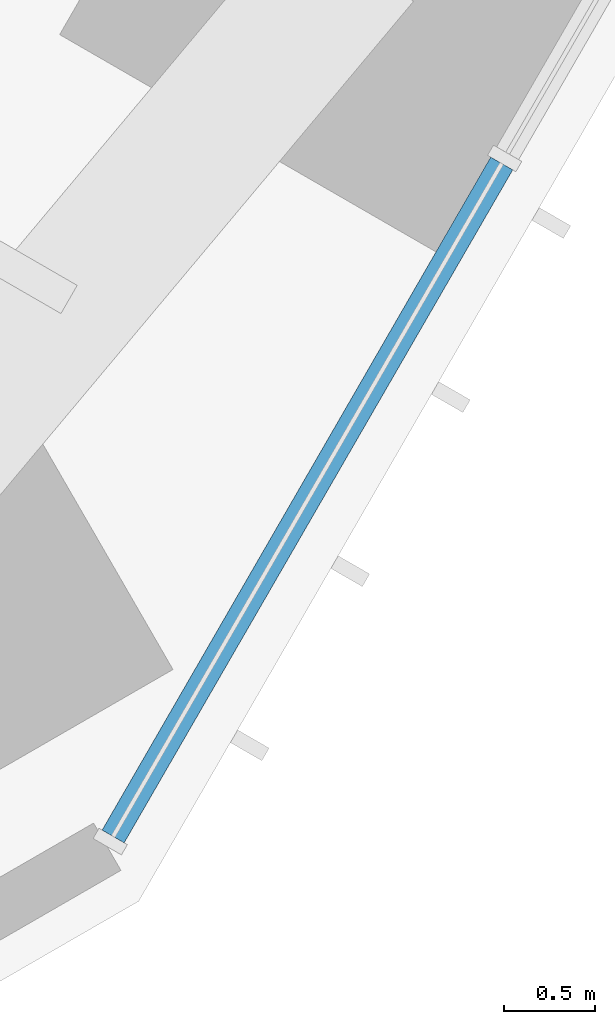
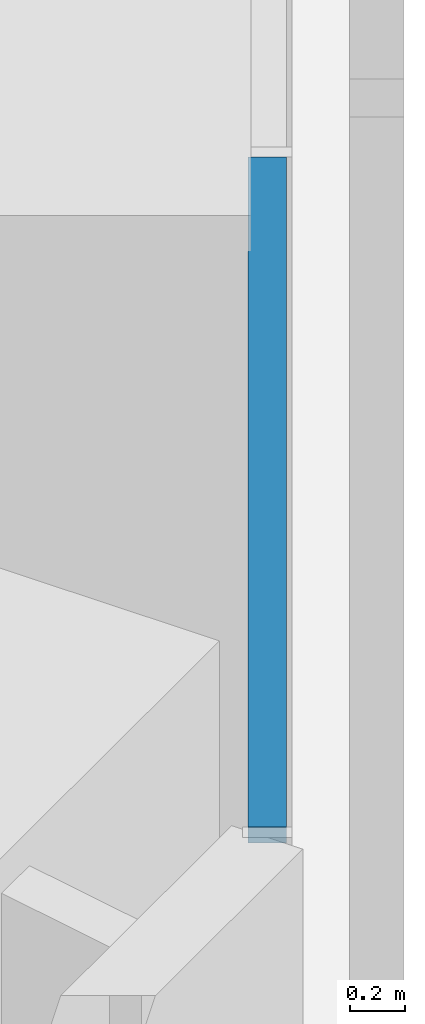
# One storey, part 81 of 256: 1 member, 1 element without a shape of its own.
"""IFC4 building model written with IfcOpenShell, lengths in metres."""

from ifc_helpers import new_model, si_unit, direction, frame, origin, origin_2d, place, context, subcontext, project, spatial, rectangle, extrude, material, material_profile, profile_set, type_object, element, aggregate, save


model = new_model("IFC4")

# Units and contexts
model_context = context("Model", 3, precision=1e-05, world=origin(), true_north=direction((0.0, 1.0)))
body_context = subcontext(model_context, "Body", "Model", "MODEL_VIEW")
ifc_project = project(units=[si_unit("LENGTHUNIT", "METRE"), si_unit("AREAUNIT", "SQUARE_METRE"), si_unit("VOLUMEUNIT", "CUBIC_METRE"), si_unit("PLANEANGLEUNIT", "RADIAN"), si_unit("MASSUNIT", "GRAM", prefix="KILO")], contexts=[model_context])

# Site, building, storey
site_placement = place(None, origin())
site = spatial("IfcSite", under=ifc_project, at=site_placement, CompositionType="ELEMENT")
building_placement = place(site_placement, origin())
building = spatial("IfcBuilding", under=site, at=building_placement, Name="Sandreach Pilgrim Tower", CompositionType="ELEMENT")
storey_placement = place(building_placement, frame((0.0, 0.0, 23.0)))
storey = spatial("IfcBuildingStorey", under=building, at=storey_placement, Name="L04", CompositionType="ELEMENT", Elevation=23.0)

# Curtain wall, member
ifc_material_1 = material(Name="Aluminium framed curtain wall", Category="aluminium")
curtain_wall_type = type_object("IfcCurtainWallType", Name="Hostel tower curtain wall", PredefinedType="NOTDEFINED", material=ifc_material_1)
curtain_wall_placement = place(storey_placement, origin())
curtain_wall = element("IfcCurtainWall", 1, at=curtain_wall_placement, inside=storey, type_object=curtain_wall_type, Name="CW-1 L04 SE", PredefinedType="NOTDEFINED")
ifc_material_2 = material(Name="Aluminium extrusion", Category="aluminium")
ifc_material_profile = material_profile(ifc_material_2, rectangle(XDim=0.139892578125, YDim=0.070068359375, at=origin_2d()), Name="CW-1T 140X70")
ifc_profile_set = profile_set([ifc_material_profile], Name="Aluminium extrusion")
member_type = type_object("IfcMemberType", Name="CW-1 transom", PredefinedType="USERDEFINED", material=ifc_profile_set)
member_placement = place(storey_placement, frame((13.07373046875, -25.253173828125, 3.60498046875), z_axis=(-0.500033953635, -0.866005799756, 0.0), x_axis=(0.866005799756, -0.500033953635, 0.0)))
member = element("IfcMember", 2, at=member_placement, type_object=member_type, Name="CW-1 head transom 9", ObjectType="TRANSOM", PredefinedType="USERDEFINED", context=body_context, shape_type="SweptSolid", body=[
    extrude(rectangle(XDim=0.139892578125, YDim=0.070068359375, at=origin_2d()), origin(), (0.0, 0.0, 1.0), 4.274169921875),
])
aggregate(curtain_wall, [member])

save(model, "model.ifc")
